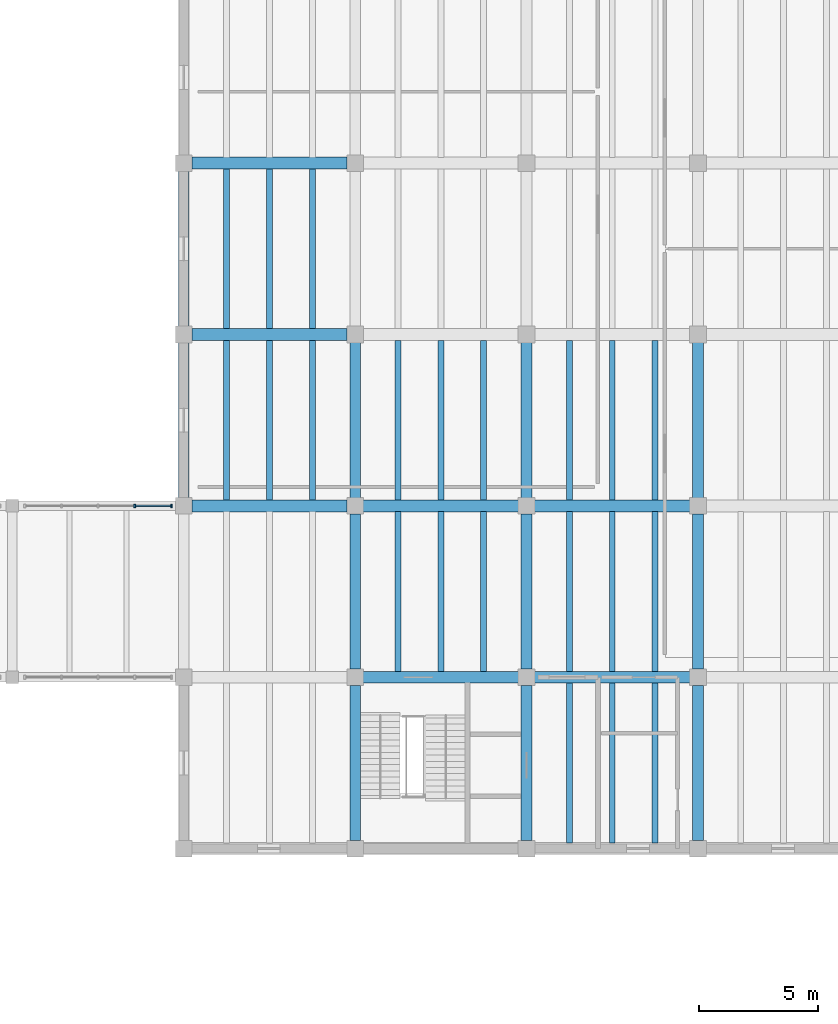
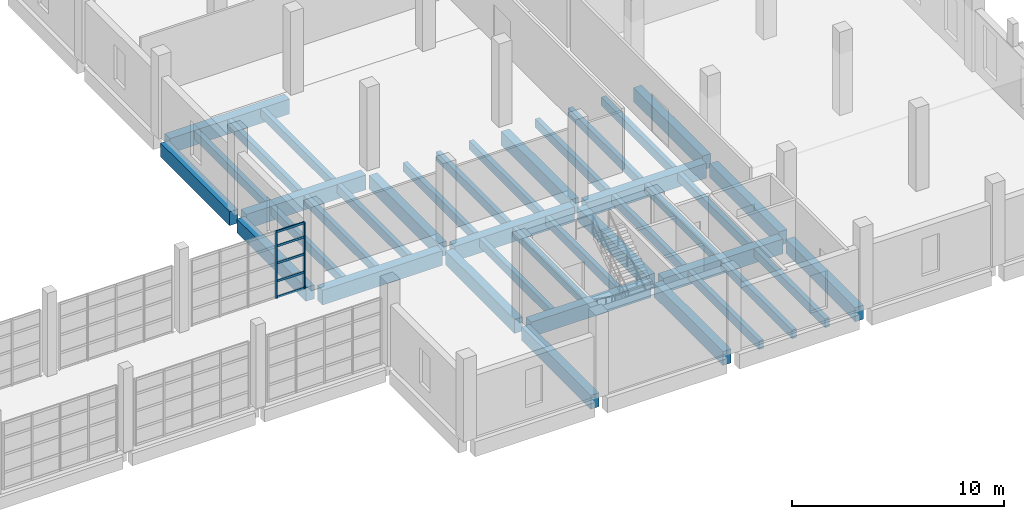
# One storey, part 43 of 77: 39 beams, 7 members, 1 element without a shape of its own.
"""IFC4 building model written with IfcOpenShell, lengths in metres."""

from ifc_helpers import new_model, si_unit, direction, frame, origin, origin_2d, place, context, subcontext, project, spatial, rectangle, extrude, material, material_profile, profile_set, type_object, element, aggregate, save


model = new_model("IFC4")

# Units and contexts
model_context = context("Model", 3, precision=1e-05, world=origin(), true_north=direction((0.0, 1.0)))
body_context = subcontext(model_context, "Body", "Model", "MODEL_VIEW")
ifc_project = project(units=[si_unit("LENGTHUNIT", "METRE"), si_unit("AREAUNIT", "SQUARE_METRE"), si_unit("VOLUMEUNIT", "CUBIC_METRE"), si_unit("PLANEANGLEUNIT", "RADIAN"), si_unit("MASSUNIT", "GRAM", prefix="KILO")], contexts=[model_context])

# Site, building, storey
site_placement = place(None, origin())
site = spatial("IfcSite", under=ifc_project, at=site_placement, CompositionType="ELEMENT")
building_placement = place(site_placement, origin())
building = spatial("IfcBuilding", under=site, at=building_placement, Name="Qiaolan Assembly House", CompositionType="ELEMENT")
storey_placement = place(building_placement, frame((0.0, 0.0, 5.39990234375)))
storey = spatial("IfcBuildingStorey", under=building, at=storey_placement, Name="L01", CompositionType="ELEMENT", Elevation=5.39990234375)

# Beams
ifc_material_1 = material(Name="Concrete C40/50", Category="concrete")
ifc_material_profile_1 = material_profile(ifc_material_1, rectangle(XDim=0.449951171875, YDim=0.800048828125, at=origin_2d()), Name="RCB 450x800")
ifc_profile_set_1 = profile_set([ifc_material_profile_1], Name="Concrete C40/50")
beam_type_1 = type_object("IfcBeamType", Name="BM-RC-450x800", PredefinedType="BEAM", material=ifc_profile_set_1)
for number, where, z_axis, x_axis, name in (
    (1, (136.800048828125, 43.5400390625, -0.669921875), (0.0, 1.0, 0.0), (-1.0, 0.0, 0.0), "GB-03 beam BMY-LB-L01-00-02"),
    (2, (136.800048828125, 50.739990234375, -0.669921875), (0.0, 1.0, 0.0), (-1.0, 0.0, 0.0), "GB-03 beam BMY-LB-L01-00-03"),
    (3, (144.0, 29.139892578125, -0.669921875), (0.0, 1.0, 0.0), (-1.0, 0.0, 0.0), "GB-03 beam BMY-LB-L01-01-00"),
    (4, (144.0, 36.340087890625, -0.669921875), (0.0, 1.0, 0.0), (-1.0, 0.0, 0.0), "GB-03 beam BMY-LB-L01-01-01"),
    (5, (144.0, 43.5400390625, -0.669921875), (0.0, 1.0, 0.0), (-1.0, 0.0, 0.0), "GB-03 beam BMY-LB-L01-01-02"),
    (6, (151.199951171875, 29.139892578125, -0.669921875), (0.0, 1.0, 0.0), (-1.0, 0.0, 0.0), "GB-03 beam BMY-LB-L01-02-00"),
    (7, (151.199951171875, 36.340087890625, -0.669921875), (0.0, 1.0, 0.0), (-1.0, 0.0, 0.0), "GB-03 beam BMY-LB-L01-02-01"),
    (8, (151.199951171875, 43.5400390625, -0.669921875), (0.0, 1.0, 0.0), (-1.0, 0.0, 0.0), "GB-03 beam BMY-LB-L01-02-02"),
    (9, (158.39990234375, 29.139892578125, -0.669921875), (0.0, 1.0, 0.0), (-1.0, 0.0, 0.0), "GB-03 beam BMY-LB-L01-03-00"),
    (10, (158.39990234375, 36.340087890625, -0.669921875), (0.0, 1.0, 0.0), (-1.0, 0.0, 0.0), "GB-03 beam BMY-LB-L01-03-01"),
    (11, (158.39990234375, 43.5400390625, -0.669921875), (0.0, 1.0, 0.0), (-1.0, 0.0, 0.0), "GB-03 beam BMY-LB-L01-03-02"),
):
    element("IfcBeam", number, at=place(storey_placement, frame(where, z_axis=z_axis, x_axis=x_axis)), inside=storey, type_object=beam_type_1, Name=name, PredefinedType="BEAM", context=body_context, shape_type="SweptSolid", body=[
        extrude(rectangle(XDim=0.449951171875, YDim=0.800048828125, at=origin_2d()), origin(), (0.0, 0.0, 1.0), 6.52001953125),
    ])
ifc_material_2 = material(Name="Concrete C45/55", Category="concrete")
ifc_material_profile_2 = material_profile(ifc_material_2, rectangle(XDim=0.5, YDim=0.85009765625, at=origin_2d()), Name="RCB 500x850")
ifc_profile_set_2 = profile_set([ifc_material_profile_2], Name="Concrete C45/55")
beam_type_2 = type_object("IfcBeamType", Name="BM-RC-500x850", PredefinedType="BEAM", material=ifc_profile_set_2)
for number, where, z_axis, x_axis, name in (
    (12, (144.340087890625, 36.0, -0.69482421875), (1.0, 0.0, 0.0), (0.0, 1.0, 0.0), "GB-02 beam BMX-LB-L01-01-01"),
    (13, (151.5400390625, 36.0, -0.69482421875), (1.0, 0.0, 0.0), (0.0, 1.0, 0.0), "GB-02 beam BMX-LB-L01-02-01"),
    (14, (137.139892578125, 43.199951171875, -0.69482421875), (1.0, 0.0, 0.0), (0.0, 1.0, 0.0), "GB-02 beam BMX-LB-L01-00-02"),
    (15, (144.340087890625, 43.199951171875, -0.69482421875), (1.0, 0.0, 0.0), (0.0, 1.0, 0.0), "GB-02 beam BMX-LB-L01-01-02"),
    (16, (151.5400390625, 43.199951171875, -0.69482421875), (1.0, 0.0, 0.0), (0.0, 1.0, 0.0), "GB-02 beam BMX-LB-L01-02-02"),
    (17, (137.139892578125, 50.39990234375, -0.69482421875), (1.0, 0.0, 0.0), (0.0, 1.0, 0.0), "GB-02 beam BMX-LB-L01-00-03"),
    (18, (137.139892578125, 57.60009765625, -0.69482421875), (1.0, 0.0, 0.0), (0.0, 1.0, 0.0), "GB-02 beam BMX-LB-L01-00-04"),
):
    element("IfcBeam", number, at=place(storey_placement, frame(where, z_axis=z_axis, x_axis=x_axis)), inside=storey, type_object=beam_type_2, Name=name, PredefinedType="BEAM", context=body_context, shape_type="SweptSolid", body=[
        extrude(rectangle(XDim=0.5, YDim=0.85009765625, at=origin_2d()), origin(), (0.0, 0.0, 1.0), 6.52001953125),
    ])

# Curtain wall, members
ifc_material_3 = material(Name="Anodised bronze aluminium", Category="aluminium")
curtain_wall_type = type_object("IfcCurtainWallType", Name="CW-CLOISTER-420", PredefinedType="NOTDEFINED", material=ifc_material_3)
curtain_wall_placement = place(storey_placement, origin())
curtain_wall = element("IfcCurtainWall", 19, at=curtain_wall_placement, inside=storey, type_object=curtain_wall_type, Name="CW-05 South Cloister court arcade L01-4", PredefinedType="NOTDEFINED")
ifc_material_profile_3 = material_profile(ifc_material_3, rectangle(XDim=0.070068359375, YDim=0.155029296875, at=origin_2d()), Name="MUL 70x155")
ifc_profile_set_3 = profile_set([ifc_material_profile_3], Name="Anodised bronze aluminium")
member_type_1 = type_object("IfcMemberType", Name="CW-CLOISTER-420-MUL", PredefinedType="MULLION", material=ifc_profile_set_3)
member_1_placement = place(storey_placement, frame((136.280029296875, 43.199951171875, 0.0), z_axis=(0.0, 0.0, 1.0), x_axis=(-1.0, 0.0, 0.0)))
member_1 = element("IfcMember", 20, at=member_1_placement, type_object=member_type_1, Name="ML-06 mullion CW-CLS-CRT-L01-3-1", PredefinedType="MULLION", context=body_context, shape_type="SweptSolid", body=[
    extrude(rectangle(XDim=0.070068359375, YDim=0.155029296875, at=origin_2d()), origin(), (0.0, 0.0, 1.0), 3.820068359375),
])
member_2_placement = place(storey_placement, frame((134.739990234375, 43.199951171875, 0.0), z_axis=(0.0, 0.0, 1.0), x_axis=(-1.0, 0.0, 0.0)))
member_2 = element("IfcMember", 21, at=member_2_placement, type_object=member_type_1, Name="ML-06 mullion CW-CLS-CRT-L01-3-2", PredefinedType="MULLION", context=body_context, shape_type="SweptSolid", body=[
    extrude(rectangle(XDim=0.070068359375, YDim=0.155029296875, at=origin_2d()), origin(), (0.0, 0.0, 1.0), 3.820068359375),
])
ifc_material_profile_4 = material_profile(ifc_material_3, rectangle(XDim=0.06201171875, YDim=0.125, at=origin_2d()), Name="TRN 62x125")
ifc_profile_set_4 = profile_set([ifc_material_profile_4], Name="Anodised bronze aluminium")
member_type_2 = type_object("IfcMemberType", Name="CW-CLOISTER-420-TRN", PredefinedType="USERDEFINED", material=ifc_profile_set_4)
member_3_placement = place(storey_placement, frame((136.2451171875, 43.199951171875, 0.030029296875), z_axis=(-1.0, 0.0, 0.0), x_axis=(0.0, -1.0, 0.0)))
member_3 = element("IfcMember", 22, at=member_3_placement, type_object=member_type_2, Name="TR-06 transom CW-CLS-CRT-L01-3-1-1", ObjectType="TRANSOM", PredefinedType="USERDEFINED", context=body_context, shape_type="SweptSolid", body=[
    extrude(rectangle(XDim=0.06201171875, YDim=0.125, at=origin_2d()), origin(), (0.0, 0.0, 1.0), 1.47021484375),
])
member_4_placement = place(storey_placement, frame((136.2451171875, 43.199951171875, 0.9501953125), z_axis=(-1.0, 0.0, 0.0), x_axis=(0.0, -1.0, 0.0)))
member_4 = element("IfcMember", 23, at=member_4_placement, type_object=member_type_2, Name="TR-06 transom CW-CLS-CRT-L01-3-1-2", ObjectType="TRANSOM", PredefinedType="USERDEFINED", context=body_context, shape_type="SweptSolid", body=[
    extrude(rectangle(XDim=0.06201171875, YDim=0.125, at=origin_2d()), origin(), (0.0, 0.0, 1.0), 1.47021484375),
])
member_5_placement = place(storey_placement, frame((136.2451171875, 43.199951171875, 1.986572265625), z_axis=(-1.0, 0.0, 0.0), x_axis=(0.0, -1.0, 0.0)))
member_5 = element("IfcMember", 24, at=member_5_placement, type_object=member_type_2, Name="TR-06 transom CW-CLS-CRT-L01-3-1-3", ObjectType="TRANSOM", PredefinedType="USERDEFINED", context=body_context, shape_type="SweptSolid", body=[
    extrude(rectangle(XDim=0.06201171875, YDim=0.125, at=origin_2d()), origin(), (0.0, 0.0, 1.0), 1.47021484375),
])
member_6_placement = place(storey_placement, frame((136.2451171875, 43.199951171875, 2.97021484375), z_axis=(-1.0, 0.0, 0.0), x_axis=(0.0, -1.0, 0.0)))
member_6 = element("IfcMember", 25, at=member_6_placement, type_object=member_type_2, Name="TR-06 transom CW-CLS-CRT-L01-3-1-4", ObjectType="TRANSOM", PredefinedType="USERDEFINED", context=body_context, shape_type="SweptSolid", body=[
    extrude(rectangle(XDim=0.06201171875, YDim=0.125, at=origin_2d()), origin(), (0.0, 0.0, 1.0), 1.47021484375),
])
member_7_placement = place(storey_placement, frame((136.2451171875, 43.199951171875, 3.7900390625), z_axis=(-1.0, 0.0, 0.0), x_axis=(0.0, -1.0, 0.0)))
member_7 = element("IfcMember", 26, at=member_7_placement, type_object=member_type_2, Name="TR-06 transom CW-CLS-CRT-L01-3-1-5", ObjectType="TRANSOM", PredefinedType="USERDEFINED", context=body_context, shape_type="SweptSolid", body=[
    extrude(rectangle(XDim=0.06201171875, YDim=0.125, at=origin_2d()), origin(), (0.0, 0.0, 1.0), 1.47021484375),
])
aggregate(curtain_wall, [member_1, member_2, member_3, member_4, member_5, member_6, member_7])

# Beams
ifc_material_profile_5 = material_profile(ifc_material_1, rectangle(XDim=0.25, YDim=0.5, at=origin_2d()), Name="RCB 250x500")
ifc_profile_set_5 = profile_set([ifc_material_profile_5], Name="Concrete C40/50")
beam_type_3 = type_object("IfcBeamType", Name="JST-RC-250x500", PredefinedType="JOIST", material=ifc_profile_set_5)
for number, where, z_axis, x_axis, name in (
    (27, (138.60009765625, 43.444091796875, -0.52001953125), (0.0, 1.0, 0.0), (-1.0, 0.0, 0.0), "RJ-01 beam JST-LB-L01-00-02-1"),
    (28, (140.39990234375, 43.444091796875, -0.52001953125), (0.0, 1.0, 0.0), (-1.0, 0.0, 0.0), "RJ-01 beam JST-LB-L01-00-02-2"),
    (29, (142.199951171875, 43.444091796875, -0.52001953125), (0.0, 1.0, 0.0), (-1.0, 0.0, 0.0), "RJ-01 beam JST-LB-L01-00-02-3"),
    (30, (138.60009765625, 50.64404296875, -0.52001953125), (0.0, 1.0, 0.0), (-1.0, 0.0, 0.0), "RJ-01 beam JST-LB-L01-00-03-1"),
    (31, (140.39990234375, 50.64404296875, -0.52001953125), (0.0, 1.0, 0.0), (-1.0, 0.0, 0.0), "RJ-01 beam JST-LB-L01-00-03-2"),
    (32, (142.199951171875, 50.64404296875, -0.52001953125), (0.0, 1.0, 0.0), (-1.0, 0.0, 0.0), "RJ-01 beam JST-LB-L01-00-03-3"),
):
    element("IfcBeam", number, at=place(storey_placement, frame(where, z_axis=z_axis, x_axis=x_axis)), inside=storey, type_object=beam_type_3, Name=name, PredefinedType="JOIST", context=body_context, shape_type="SweptSolid", body=[
        extrude(rectangle(XDim=0.25, YDim=0.5, at=origin_2d()), origin(), (0.0, 0.0, 1.0), 6.7119140625),
    ])
for number, where, z_axis, x_axis, name in (
    (33, (145.800048828125, 36.243896484375, -0.52001953125), (0.0, 1.0, 0.0), (-1.0, 0.0, 0.0), "RJ-01 beam JST-LB-L01-01-01-1"),
    (34, (147.60009765625, 36.243896484375, -0.52001953125), (0.0, 1.0, 0.0), (-1.0, 0.0, 0.0), "RJ-01 beam JST-LB-L01-01-01-2"),
    (35, (149.39990234375, 36.243896484375, -0.52001953125), (0.0, 1.0, 0.0), (-1.0, 0.0, 0.0), "RJ-01 beam JST-LB-L01-01-01-3"),
):
    element("IfcBeam", number, at=place(storey_placement, frame(where, z_axis=z_axis, x_axis=x_axis)), inside=storey, type_object=beam_type_3, Name=name, PredefinedType="JOIST", context=body_context, shape_type="SweptSolid", body=[
        extrude(rectangle(XDim=0.25, YDim=0.5, at=origin_2d()), origin(), (0.0, 0.0, 1.0), 6.712158203125),
    ])
for number, where, z_axis, x_axis, name in (
    (36, (145.800048828125, 43.444091796875, -0.52001953125), (0.0, 1.0, 0.0), (-1.0, 0.0, 0.0), "RJ-01 beam JST-LB-L01-01-02-1"),
    (37, (147.60009765625, 43.444091796875, -0.52001953125), (0.0, 1.0, 0.0), (-1.0, 0.0, 0.0), "RJ-01 beam JST-LB-L01-01-02-2"),
    (38, (149.39990234375, 43.444091796875, -0.52001953125), (0.0, 1.0, 0.0), (-1.0, 0.0, 0.0), "RJ-01 beam JST-LB-L01-01-02-3"),
):
    element("IfcBeam", number, at=place(storey_placement, frame(where, z_axis=z_axis, x_axis=x_axis)), inside=storey, type_object=beam_type_3, Name=name, PredefinedType="JOIST", context=body_context, shape_type="SweptSolid", body=[
        extrude(rectangle(XDim=0.25, YDim=0.5, at=origin_2d()), origin(), (0.0, 0.0, 1.0), 6.7119140625),
    ])
for number, where, z_axis, x_axis, name in (
    (39, (153.0, 29.0439453125, -0.52001953125), (0.0, 1.0, 0.0), (-1.0, 0.0, 0.0), "RJ-01 beam JST-LB-L01-02-00-1"),
    (40, (154.800048828125, 29.0439453125, -0.52001953125), (0.0, 1.0, 0.0), (-1.0, 0.0, 0.0), "RJ-01 beam JST-LB-L01-02-00-2"),
    (41, (156.60009765625, 29.0439453125, -0.52001953125), (0.0, 1.0, 0.0), (-1.0, 0.0, 0.0), "RJ-01 beam JST-LB-L01-02-00-3"),
    (42, (153.0, 36.243896484375, -0.52001953125), (0.0, 1.0, 0.0), (-1.0, 0.0, 0.0), "RJ-01 beam JST-LB-L01-02-01-1"),
    (43, (154.800048828125, 36.243896484375, -0.52001953125), (0.0, 1.0, 0.0), (-1.0, 0.0, 0.0), "RJ-01 beam JST-LB-L01-02-01-2"),
    (44, (156.60009765625, 36.243896484375, -0.52001953125), (0.0, 1.0, 0.0), (-1.0, 0.0, 0.0), "RJ-01 beam JST-LB-L01-02-01-3"),
):
    element("IfcBeam", number, at=place(storey_placement, frame(where, z_axis=z_axis, x_axis=x_axis)), inside=storey, type_object=beam_type_3, Name=name, PredefinedType="JOIST", context=body_context, shape_type="SweptSolid", body=[
        extrude(rectangle(XDim=0.25, YDim=0.5, at=origin_2d()), origin(), (0.0, 0.0, 1.0), 6.712158203125),
    ])
for number, where, z_axis, x_axis, name in (
    (45, (153.0, 43.444091796875, -0.52001953125), (0.0, 1.0, 0.0), (-1.0, 0.0, 0.0), "RJ-01 beam JST-LB-L01-02-02-1"),
    (46, (154.800048828125, 43.444091796875, -0.52001953125), (0.0, 1.0, 0.0), (-1.0, 0.0, 0.0), "RJ-01 beam JST-LB-L01-02-02-2"),
    (47, (156.60009765625, 43.444091796875, -0.52001953125), (0.0, 1.0, 0.0), (-1.0, 0.0, 0.0), "RJ-01 beam JST-LB-L01-02-02-3"),
):
    element("IfcBeam", number, at=place(storey_placement, frame(where, z_axis=z_axis, x_axis=x_axis)), inside=storey, type_object=beam_type_3, Name=name, PredefinedType="JOIST", context=body_context, shape_type="SweptSolid", body=[
        extrude(rectangle(XDim=0.25, YDim=0.5, at=origin_2d()), origin(), (0.0, 0.0, 1.0), 6.7119140625),
    ])

save(model, "model.ifc")
